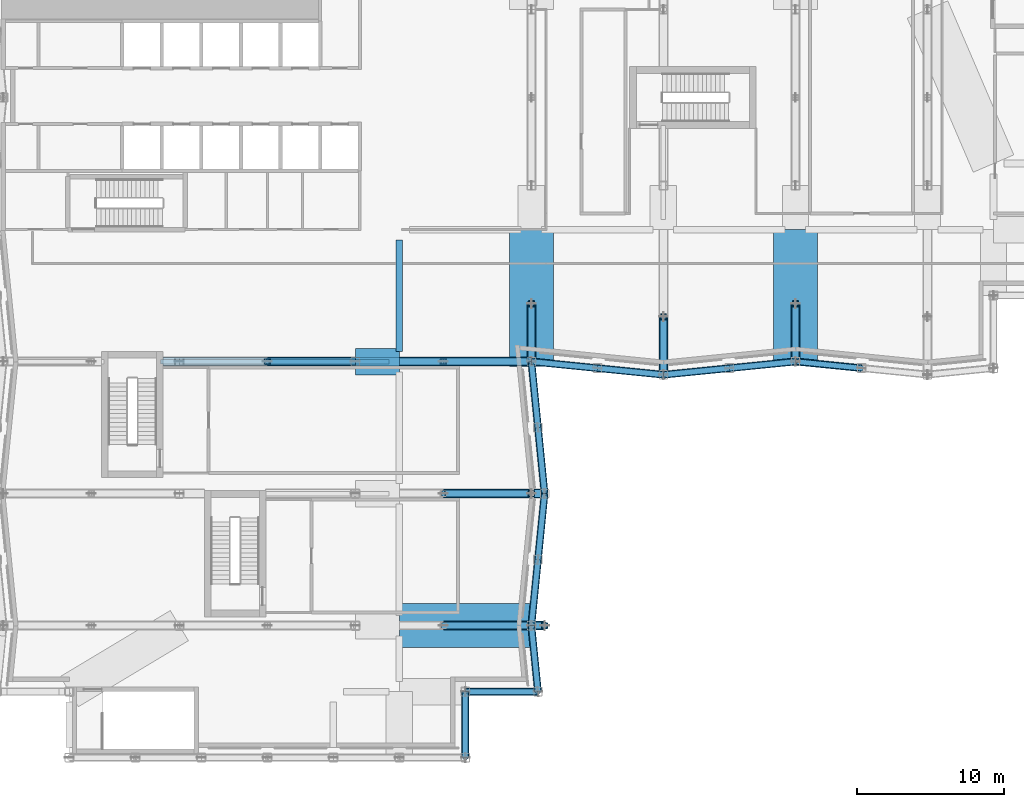
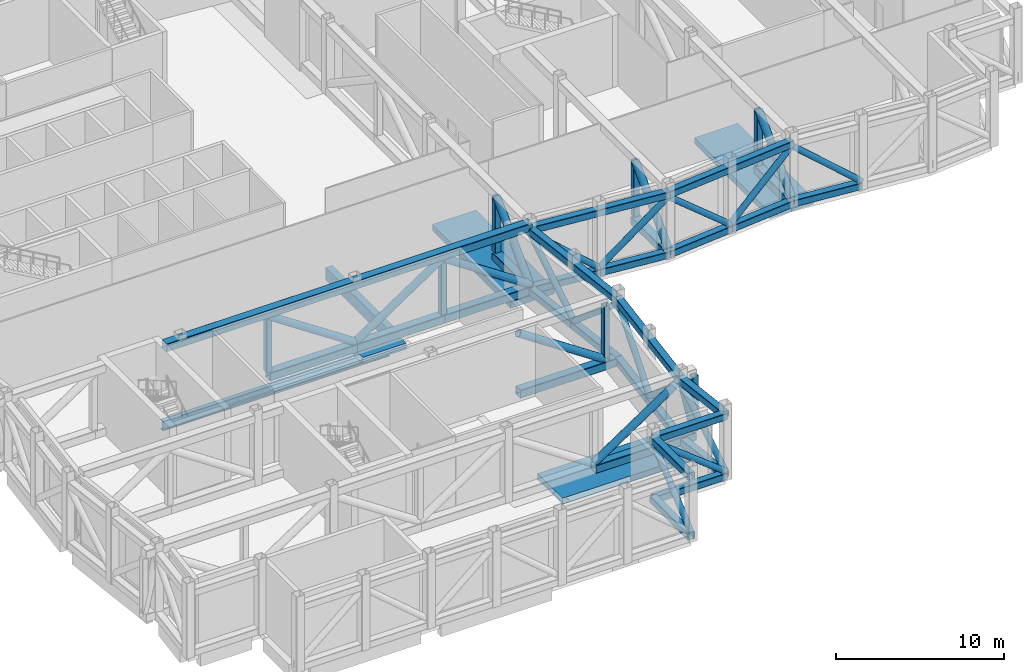
# One storey, part 4 of 22: 57 members, 6 beams.
"""IFC4 building model written with IfcOpenShell, lengths in metres."""

from ifc_helpers import new_model, si_unit, direction, frame, origin, origin_2d, place, context, subcontext, project, spatial, rectangle, hollow_rectangle, hollow_circle, i_section, extrude, material, material_profile, profile_set, type_object, element, save


model = new_model("IFC4")

# Units and contexts
model_context = context("Model", 3, precision=1e-05, world=origin(), true_north=direction((0.0, 1.0)))
body_context = subcontext(model_context, "Body", "Model", "MODEL_VIEW")
ifc_project = project(units=[si_unit("LENGTHUNIT", "METRE"), si_unit("AREAUNIT", "SQUARE_METRE"), si_unit("VOLUMEUNIT", "CUBIC_METRE"), si_unit("PLANEANGLEUNIT", "RADIAN"), si_unit("MASSUNIT", "GRAM", prefix="KILO")], contexts=[model_context])

# Site, building, storey
site_placement = place(None, origin())
site = spatial("IfcSite", under=ifc_project, at=site_placement, CompositionType="ELEMENT")
building_placement = place(site_placement, origin())
building = spatial("IfcBuilding", under=site, at=building_placement, Name="Brondeck Convention Tower", CompositionType="ELEMENT")
storey_placement = place(building_placement, frame((0.0, 0.0, 32.0)))
storey = spatial("IfcBuildingStorey", under=building, at=storey_placement, Name="L05", CompositionType="ELEMENT", Elevation=32.0)

# Beams
ifc_material_1 = material(Name="Concrete C80/95", Category="concrete")
ifc_material_profile_1 = material_profile(ifc_material_1, rectangle(XDim=1.800048828125, YDim=0.43994140625, at=origin_2d()), Name="Band beam 1800x440 Concrete C80/95")
ifc_profile_set_1 = profile_set([ifc_material_profile_1], Name="Concrete C80/95")
beam_type_1 = type_object("IfcBeamType", Name="Band beam 1800x440 Concrete C80/95", PredefinedType="BEAM", material=ifc_profile_set_1)
beam_1_placement = place(storey_placement, frame((24.0, 27.0, -0.219970703125), z_axis=(1.0, 0.0, 0.0), x_axis=(0.0, 1.0, 0.0)))
element("IfcBeam", 1, at=beam_1_placement, inside=storey, type_object=beam_type_1, Name="Band beam L05-4", PredefinedType="BEAM", context=body_context, shape_type="SweptSolid", body=[
    extrude(rectangle(XDim=1.800048828125, YDim=0.43994140625, at=origin_2d()), origin(), (0.0, 0.0, 1.0), 3.0),
])
ifc_material_profile_2 = material_profile(ifc_material_1, rectangle(XDim=3.0, YDim=0.43994140625, at=origin_2d()), Name="Band beam 3000x440 Concrete C80/95")
ifc_profile_set_2 = profile_set([ifc_material_profile_2], Name="Concrete C80/95")
beam_type_2 = type_object("IfcBeamType", Name="Band beam 3000x440 Concrete C80/95", PredefinedType="BEAM", material=ifc_profile_set_2)
beam_2_placement = place(storey_placement, frame((36.0, 9.0, -0.219970703125), z_axis=(-1.0, 0.0, 0.0), x_axis=(0.0, -1.0, 0.0)))
element("IfcBeam", 2, at=beam_2_placement, inside=storey, type_object=beam_type_2, Name="Band beam L05-7", PredefinedType="BEAM", context=body_context, shape_type="SweptSolid", body=[
    extrude(rectangle(XDim=3.0, YDim=0.43994140625, at=origin_2d()), origin(), (0.0, 0.0, 1.0), 9.0),
])
beam_3_placement = place(storey_placement, frame((36.0, 26.669921875, -0.219970703125), z_axis=(0.0, 1.0, 0.0), x_axis=(-1.0, 0.0, 0.0)))
element("IfcBeam", 3, at=beam_3_placement, inside=storey, type_object=beam_type_2, Name="Band beam L05-8", PredefinedType="BEAM", context=body_context, shape_type="SweptSolid", body=[
    extrude(rectangle(XDim=3.0, YDim=0.43994140625, at=origin_2d()), origin(), (0.0, 0.0, 1.0), 9.330078125),
])
beam_4_placement = place(storey_placement, frame((54.0, 27.0, -0.219970703125), z_axis=(0.0, 1.0, 0.0), x_axis=(-1.0, 0.0, 0.0)))
element("IfcBeam", 4, at=beam_4_placement, inside=storey, type_object=beam_type_2, Name="Band beam L05-12", PredefinedType="BEAM", context=body_context, shape_type="SweptSolid", body=[
    extrude(rectangle(XDim=3.0, YDim=0.43994140625, at=origin_2d()), origin(), (0.0, 0.0, 1.0), 9.0),
])
ifc_material_profile_3 = material_profile(ifc_material_1, rectangle(XDim=0.449951171875, YDim=0.89990234375, at=origin_2d()), Name="Edge beam 450x900 Concrete C80/95")
ifc_profile_set_3 = profile_set([ifc_material_profile_3], Name="Concrete C80/95")
beam_type_3 = type_object("IfcBeamType", Name="Edge beam 450x900 Concrete C80/95", PredefinedType="BEAM", material=ifc_profile_set_3)
beam_5_placement = place(storey_placement, frame((27.0, 27.699951171875, -0.449951171875), z_axis=(0.0, 1.0, 0.0), x_axis=(-1.0, 0.0, 0.0)))
element("IfcBeam", 5, at=beam_5_placement, inside=storey, type_object=beam_type_3, Name="STR-SP-L05-008", PredefinedType="BEAM", context=body_context, shape_type="SweptSolid", body=[
    extrude(rectangle(XDim=0.449951171875, YDim=0.89990234375, at=origin_2d()), origin(), (0.0, 0.0, 1.0), 7.60009765625),
])
ifc_material_2 = material(Name="Steel S355", Category="steel")
ifc_material_profile_4 = material_profile(ifc_material_2, i_section(OverallWidth=0.300048828125, OverallDepth=0.699951171875, WebThickness=0.01708984375, FlangeThickness=0.031982421875, FilletRadius=0.027099609375, at=origin_2d()), Name="HEB 700")
ifc_profile_set_4 = profile_set([ifc_material_profile_4], Name="Steel S355")
beam_type_4 = type_object("IfcBeamType", Name="Girder HEB 700", PredefinedType="BEAM", material=ifc_profile_set_4)
beam_6_placement = place(storey_placement, frame((10.719970703125, 27.0, -0.800048828125), z_axis=(1.0, 0.0, 0.0), x_axis=(0.0, 1.0, 0.0)))
element("IfcBeam", 6, at=beam_6_placement, inside=storey, type_object=beam_type_4, Name="STR-GR-L05-011", PredefinedType="BEAM", context=body_context, shape_type="SweptSolid", body=[
    extrude(i_section(OverallWidth=0.300048828125, OverallDepth=0.699951171875, WebThickness=0.01708984375, FlangeThickness=0.031982421875, FilletRadius=0.027099609375, at=origin_2d()), origin(), (0.0, 0.0, 1.0), 15.580078125),
])

# Members
ifc_material_3 = material(Name="Steel S460", Category="steel")
ifc_material_profile_5 = material_profile(ifc_material_3, hollow_rectangle(XDim=0.5, YDim=0.5, WallThickness=0.02490234375, InnerFilletRadius=0.02490234375, OuterFilletRadius=0.050048828125, at=origin_2d()), Name="RHS 500x500x25")
ifc_profile_set_5 = profile_set([ifc_material_profile_5], Name="Steel S460")
member_type_1 = type_object("IfcMemberType", Name="Truss chord RHS 500x500x25", PredefinedType="CHORD", material=ifc_profile_set_5)
member_1_placement = place(storey_placement, frame((31.5, 0.0, 4.60009765625), z_axis=(0.0, 1.0, 0.0), x_axis=(-1.0, 0.0, 0.0)))
element("IfcMember", 7, at=member_1_placement, inside=storey, type_object=member_type_1, Name="Transfer truss T1-P1 chord", PredefinedType="CHORD", context=body_context, shape_type="SweptSolid", body=[
    extrude(hollow_rectangle(XDim=0.5, YDim=0.5, WallThickness=0.02490234375, InnerFilletRadius=0.02490234375, OuterFilletRadius=0.050048828125, at=origin_2d()), origin(), (0.0, 0.0, 1.0), 4.5),
])
member_2_placement = place(storey_placement, frame((31.5, 4.5, 4.60009765625), z_axis=(1.0, 0.0, 0.0), x_axis=(0.0, 1.0, 0.0)))
element("IfcMember", 8, at=member_2_placement, inside=storey, type_object=member_type_1, Name="Transfer truss T1-P1 chord", PredefinedType="CHORD", context=body_context, shape_type="SweptSolid", body=[
    extrude(hollow_rectangle(XDim=0.5, YDim=0.5, WallThickness=0.02490234375, InnerFilletRadius=0.02490234375, OuterFilletRadius=0.050048828125, at=origin_2d()), origin(), (0.0, 0.0, 1.0), 4.949951171875),
])
member_3_placement = place(storey_placement, frame((36.449951171875, 4.5, 4.60009765625), z_axis=(-0.099493029059, 0.995038259148, 0.0), x_axis=(-0.995038259148, -0.099493029059, 0.0)))
element("IfcMember", 9, at=member_3_placement, inside=storey, type_object=member_type_1, Name="Transfer truss T1-P1 chord", PredefinedType="CHORD", context=body_context, shape_type="SweptSolid", body=[
    extrude(hollow_rectangle(XDim=0.5, YDim=0.5, WallThickness=0.02490234375, InnerFilletRadius=0.02490234375, OuterFilletRadius=0.050048828125, at=origin_2d()), origin(), (0.0, 0.0, 1.0), 4.5224609375),
])
for number, where, z_axis, x_axis, name in (
    (10, (36.0, 9.0, 4.60009765625), (0.099493029059, 0.995038259148, 0.0), (-0.995038259148, 0.099493029059, 0.0), "Transfer truss T1-P1 chord"),
    (11, (36.89990234375, 18.0, 4.60009765625), (-0.099493029059, 0.995038259148, 0.0), (-0.995038259148, -0.099493029059, 0.0), "Transfer truss T1-P1 chord"),
    (12, (36.0, 27.0, 4.60009765625), (0.995038259148, -0.099493029059, 0.0), (0.099493029059, 0.995038259148, 0.0), "Transfer truss T1-P1 chord"),
    (13, (45.0, 26.10009765625, 4.60009765625), (0.995038259148, 0.099493029059, 0.0), (-0.099493029059, 0.995038259148, 0.0), "Transfer truss T1-P1 chord"),
):
    element("IfcMember", number, at=place(storey_placement, frame(where, z_axis=z_axis, x_axis=x_axis)), inside=storey, type_object=member_type_1, Name=name, PredefinedType="CHORD", context=body_context, shape_type="SweptSolid", body=[
        extrude(hollow_rectangle(XDim=0.5, YDim=0.5, WallThickness=0.02490234375, InnerFilletRadius=0.02490234375, OuterFilletRadius=0.050048828125, at=origin_2d()), origin(), (0.0, 0.0, 1.0), 9.044921875),
    ])
member_4_placement = place(storey_placement, frame((31.5, 0.0, 0.25), z_axis=(0.0, 1.0, 0.0), x_axis=(-1.0, 0.0, 0.0)))
element("IfcMember", 14, at=member_4_placement, inside=storey, type_object=member_type_1, Name="Transfer truss T1-P1 chord", PredefinedType="CHORD", context=body_context, shape_type="SweptSolid", body=[
    extrude(hollow_rectangle(XDim=0.5, YDim=0.5, WallThickness=0.02490234375, InnerFilletRadius=0.02490234375, OuterFilletRadius=0.050048828125, at=origin_2d()), origin(), (0.0, 0.0, 1.0), 4.5),
])
member_5_placement = place(storey_placement, frame((31.5, 4.5, 0.25), z_axis=(1.0, 0.0, 0.0), x_axis=(0.0, 1.0, 0.0)))
element("IfcMember", 15, at=member_5_placement, inside=storey, type_object=member_type_1, Name="Transfer truss T1-P1 chord", PredefinedType="CHORD", context=body_context, shape_type="SweptSolid", body=[
    extrude(hollow_rectangle(XDim=0.5, YDim=0.5, WallThickness=0.02490234375, InnerFilletRadius=0.02490234375, OuterFilletRadius=0.050048828125, at=origin_2d()), origin(), (0.0, 0.0, 1.0), 4.949951171875),
])
for number, where, z_axis, x_axis, name in (
    (16, (36.449951171875, 4.5, 0.25), (-0.099493029059, 0.995038259148, 0.0), (-0.995038259148, -0.099493029059, 0.0), "Transfer truss T1-P1 chord"),
    (17, (36.0, 9.0, 0.25), (0.099493029059, 0.995038259148, 0.0), (-0.995038259148, 0.099493029059, 0.0), "Transfer truss T1-P1 chord"),
    (18, (36.449951171875, 13.5, 0.25), (0.099493029059, 0.995038259148, 0.0), (-0.995038259148, 0.099493029059, 0.0), "Transfer truss T1-P1 chord"),
    (19, (36.89990234375, 18.0, 0.25), (-0.099493029059, 0.995038259148, 0.0), (-0.995038259148, -0.099493029059, 0.0), "Transfer truss T1-P1 chord"),
    (20, (36.449951171875, 22.5, 0.25), (-0.099493029059, 0.995038259148, 0.0), (-0.995038259148, -0.099493029059, 0.0), "Transfer truss T1-P1 chord"),
    (21, (36.0, 27.0, 0.25), (0.995038259148, -0.099493029059, 0.0), (0.099493029059, 0.995038259148, 0.0), "Transfer truss T1-P1 chord"),
    (22, (40.5, 26.550048828125, 0.25), (0.995038259148, -0.099493029059, 0.0), (0.099493029059, 0.995038259148, 0.0), "Transfer truss T1-P1 chord"),
    (23, (45.0, 26.10009765625, 0.25), (0.995038259148, 0.099493029059, 0.0), (-0.099493029059, 0.995038259148, 0.0), "Transfer truss T1-P1 chord"),
    (24, (49.5, 26.550048828125, 0.25), (0.995038259148, 0.099493029059, 0.0), (-0.099493029059, 0.995038259148, 0.0), "Transfer truss T1-P1 chord"),
    (25, (54.0, 27.0, 0.25), (0.995038259148, -0.099493029059, 0.0), (0.099493029059, 0.995038259148, 0.0), "Transfer truss T1-P1 chord"),
):
    element("IfcMember", number, at=place(storey_placement, frame(where, z_axis=z_axis, x_axis=x_axis)), inside=storey, type_object=member_type_1, Name=name, PredefinedType="CHORD", context=body_context, shape_type="SweptSolid", body=[
        extrude(hollow_rectangle(XDim=0.5, YDim=0.5, WallThickness=0.02490234375, InnerFilletRadius=0.02490234375, OuterFilletRadius=0.050048828125, at=origin_2d()), origin(), (0.0, 0.0, 1.0), 4.5224609375),
    ])
ifc_material_profile_6 = material_profile(ifc_material_3, hollow_rectangle(XDim=0.60009765625, YDim=0.60009765625, WallThickness=0.030029296875, InnerFilletRadius=0.030029296875, OuterFilletRadius=0.06005859375, at=origin_2d()), Name="RHS 600x600x30")
ifc_profile_set_6 = profile_set([ifc_material_profile_6], Name="Steel S460")
member_type_2 = type_object("IfcMemberType", Name="Truss chord RHS 600x600x30", PredefinedType="CHORD", material=ifc_profile_set_6)
for number, where, z_axis, x_axis, name in (
    (26, (36.0, 27.0, 0.300048828125), (0.0, 1.0, 0.0), (-1.0, 0.0, 0.0), "Transfer truss T1-A1 chord"),
    (27, (45.0, 26.10009765625, 0.300048828125), (0.0, 1.0, 0.0), (-1.0, 0.0, 0.0), "Transfer truss T1-A2 chord"),
    (28, (54.0, 27.0, 0.300048828125), (0.0, 1.0, 0.0), (-1.0, 0.0, 0.0), "Transfer truss T1-A3 chord"),
):
    element("IfcMember", number, at=place(storey_placement, frame(where, z_axis=z_axis, x_axis=x_axis)), inside=storey, type_object=member_type_2, Name=name, PredefinedType="CHORD", context=body_context, shape_type="SweptSolid", body=[
        extrude(hollow_rectangle(XDim=0.60009765625, YDim=0.60009765625, WallThickness=0.030029296875, InnerFilletRadius=0.030029296875, OuterFilletRadius=0.06005859375, at=origin_2d()), origin(), (0.0, 0.0, 1.0), 3.949951171875),
    ])
member_6_placement = place(storey_placement, frame((36.0, 27.0, 4.89990234375), z_axis=(-1.0, 0.0, 0.0), x_axis=(0.0, -1.0, 0.0)))
element("IfcMember", 29, at=member_6_placement, inside=storey, type_object=member_type_2, Name="Transfer truss T1-B1 chord", PredefinedType="CHORD", context=body_context, shape_type="SweptSolid", body=[
    extrude(hollow_rectangle(XDim=0.60009765625, YDim=0.60009765625, WallThickness=0.030029296875, InnerFilletRadius=0.030029296875, OuterFilletRadius=0.06005859375, at=origin_2d()), origin(), (0.0, 0.0, 1.0), 25.10009765625),
])
for number, where, z_axis, x_axis, name in (
    (30, (36.0, 27.0, 0.300048828125), (-1.0, 0.0, 0.0), (0.0, -1.0, 0.0), "Transfer truss T1-B1 chord"),
    (31, (30.0, 27.0, 0.300048828125), (-1.0, 0.0, 0.0), (0.0, -1.0, 0.0), "Transfer truss T1-B1 chord"),
    (32, (24.0, 27.0, 0.300048828125), (-1.0, 0.0, 0.0), (0.0, -1.0, 0.0), "Transfer truss T1-B1 chord"),
):
    element("IfcMember", number, at=place(storey_placement, frame(where, z_axis=z_axis, x_axis=x_axis)), inside=storey, type_object=member_type_2, Name=name, PredefinedType="CHORD", context=body_context, shape_type="SweptSolid", body=[
        extrude(hollow_rectangle(XDim=0.60009765625, YDim=0.60009765625, WallThickness=0.030029296875, InnerFilletRadius=0.030029296875, OuterFilletRadius=0.06005859375, at=origin_2d()), origin(), (0.0, 0.0, 1.0), 6.0),
    ])
member_7_placement = place(storey_placement, frame((36.6298828125, 18.0, 0.300048828125), z_axis=(-1.0, 0.0, 0.0), x_axis=(0.0, -1.0, 0.0)))
element("IfcMember", 33, at=member_7_placement, inside=storey, type_object=member_type_2, Name="Transfer truss T1-B2 chord", PredefinedType="CHORD", context=body_context, shape_type="SweptSolid", body=[
    extrude(hollow_rectangle(XDim=0.60009765625, YDim=0.60009765625, WallThickness=0.030029296875, InnerFilletRadius=0.030029296875, OuterFilletRadius=0.06005859375, at=origin_2d()), origin(), (0.0, 0.0, 1.0), 6.6298828125),
])
member_8_placement = place(storey_placement, frame((36.89990234375, 9.0, 0.300048828125), z_axis=(-1.0, 0.0, 0.0), x_axis=(0.0, -1.0, 0.0)))
element("IfcMember", 34, at=member_8_placement, inside=storey, type_object=member_type_2, Name="Transfer truss T1-B3 chord", PredefinedType="CHORD", context=body_context, shape_type="SweptSolid", body=[
    extrude(hollow_rectangle(XDim=0.60009765625, YDim=0.60009765625, WallThickness=0.030029296875, InnerFilletRadius=0.030029296875, OuterFilletRadius=0.06005859375, at=origin_2d()), origin(), (0.0, 0.0, 1.0), 0.89990234375),
])
member_9_placement = place(storey_placement, frame((36.0, 9.0, 0.300048828125), z_axis=(-1.0, 0.0, 0.0), x_axis=(0.0, -1.0, 0.0)))
element("IfcMember", 35, at=member_9_placement, inside=storey, type_object=member_type_2, Name="Transfer truss T1-B3 chord", PredefinedType="CHORD", context=body_context, shape_type="SweptSolid", body=[
    extrude(hollow_rectangle(XDim=0.60009765625, YDim=0.60009765625, WallThickness=0.030029296875, InnerFilletRadius=0.030029296875, OuterFilletRadius=0.06005859375, at=origin_2d()), origin(), (0.0, 0.0, 1.0), 6.0),
])
ifc_material_profile_7 = material_profile(ifc_material_3, hollow_circle(Radius=0.203125, WallThickness=0.02490234375, at=origin_2d()), Name="CHS 406.4x25")
ifc_profile_set_7 = profile_set([ifc_material_profile_7], Name="Steel S460")
member_type_3 = type_object("IfcMemberType", Name="Truss diagonal CHS 406.4x25", PredefinedType="BRACE", material=ifc_profile_set_7)
member_10_placement = place(storey_placement, frame((31.5, 0.0, 0.5), z_axis=(0.0, 0.759844100981, 0.650105331623), x_axis=(-1.0, 0.0, 0.0)))
element("IfcMember", 36, at=member_10_placement, inside=storey, type_object=member_type_3, Name="Transfer truss T1-P1 diagonal", PredefinedType="BRACE", context=body_context, shape_type="SweptSolid", body=[
    extrude(hollow_circle(Radius=0.203125, WallThickness=0.02490234375, at=origin_2d()), origin(), (0.0, 0.0, 1.0), 5.92236328125),
])
member_11_placement = place(storey_placement, frame((31.5, 4.5, 4.35009765625), z_axis=(0.78934173563, 0.0, -0.613954089809), x_axis=(0.0, 1.0, 0.0)))
element("IfcMember", 37, at=member_11_placement, inside=storey, type_object=member_type_3, Name="Transfer truss T1-P1 diagonal", PredefinedType="BRACE", context=body_context, shape_type="SweptSolid", body=[
    extrude(hollow_circle(Radius=0.203125, WallThickness=0.02490234375, at=origin_2d()), origin(), (0.0, 0.0, 1.0), 6.27099609375),
])
for number, where, z_axis, x_axis, name in (
    (38, (36.449951171875, 4.5, 0.5), (-0.07575782849, 0.757660496322, 0.648237089139), (-0.995038259148, -0.099493029059, 0.0), "Transfer truss T1-P1 diagonal"),
    (39, (36.0, 9.0, 4.35009765625), (0.07575782849, 0.757660496322, -0.648237089139), (-0.995038259148, 0.099493029059, 0.0), "Transfer truss T1-P1 diagonal"),
    (40, (36.449951171875, 13.5, 0.5), (0.07575782849, 0.757660496322, 0.648237089139), (-0.995038259148, 0.099493029059, 0.0), "Transfer truss T1-P1 diagonal"),
    (41, (36.89990234375, 18.0, 4.35009765625), (-0.07575782849, 0.757660496322, -0.648237089139), (-0.995038259148, -0.099493029059, 0.0), "Transfer truss T1-P1 diagonal"),
    (42, (36.449951171875, 22.5, 0.5), (-0.07575782849, 0.757660496322, 0.648237089139), (-0.995038259148, -0.099493029059, 0.0), "Transfer truss T1-P1 diagonal"),
    (43, (36.0, 27.0, 4.35009765625), (0.757660496322, -0.07575782849, -0.648237089139), (0.099493029059, 0.995038259148, 0.0), "Transfer truss T1-P1 diagonal"),
    (44, (40.5, 26.550048828125, 0.5), (0.757660496322, -0.07575782849, 0.648237089139), (0.099493029059, 0.995038259148, 0.0), "Transfer truss T1-P1 diagonal"),
    (45, (45.0, 26.10009765625, 4.35009765625), (0.757660496322, 0.07575782849, -0.648237089139), (-0.099493029059, 0.995038259148, 0.0), "Transfer truss T1-P1 diagonal"),
    (46, (49.5, 26.550048828125, 0.5), (0.757660496322, 0.07575782849, 0.648237089139), (-0.099493029059, 0.995038259148, 0.0), "Transfer truss T1-P1 diagonal"),
    (47, (54.0, 27.0, 4.35009765625), (0.757660496322, -0.07575782849, -0.648237089139), (0.099493029059, 0.995038259148, 0.0), "Transfer truss T1-P1 diagonal"),
):
    element("IfcMember", number, at=place(storey_placement, frame(where, z_axis=z_axis, x_axis=x_axis)), inside=storey, type_object=member_type_3, Name=name, PredefinedType="BRACE", context=body_context, shape_type="SweptSolid", body=[
        extrude(hollow_circle(Radius=0.203125, WallThickness=0.02490234375, at=origin_2d()), origin(), (0.0, 0.0, 1.0), 5.939453125),
    ])
ifc_material_profile_8 = material_profile(ifc_material_3, hollow_circle(Radius=0.25390625, WallThickness=0.030029296875, at=origin_2d()), Name="CHS 508x30")
ifc_profile_set_8 = profile_set([ifc_material_profile_8], Name="Steel S460")
member_type_4 = type_object("IfcMemberType", Name="Truss diagonal CHS 508x30", PredefinedType="BRACE", material=ifc_profile_set_8)
for number, where, z_axis, x_axis, name in (
    (48, (36.0, 27.0, 0.60009765625), (0.0, 0.702641274589, 0.711544263728), (-1.0, 0.0, 0.0), "Transfer truss T1-A1 diagonal"),
    (49, (45.0, 26.10009765625, 0.60009765625), (0.0, 0.702641274589, 0.711544263728), (-1.0, 0.0, 0.0), "Transfer truss T1-A2 diagonal"),
    (50, (54.0, 27.0, 0.60009765625), (0.0, 0.702641274589, 0.711544263728), (-1.0, 0.0, 0.0), "Transfer truss T1-A3 diagonal"),
):
    element("IfcMember", number, at=place(storey_placement, frame(where, z_axis=z_axis, x_axis=x_axis)), inside=storey, type_object=member_type_4, Name=name, PredefinedType="BRACE", context=body_context, shape_type="SweptSolid", body=[
        extrude(hollow_circle(Radius=0.25390625, WallThickness=0.030029296875, at=origin_2d()), origin(), (0.0, 0.0, 1.0), 5.62158203125),
    ])
for number, where, z_axis, x_axis, name in (
    (51, (36.0, 27.0, 0.60009765625), (-0.832050294338, 0.0, 0.554700196225), (0.0, -1.0, 0.0), "Transfer truss T1-B1 diagonal"),
    (52, (30.0, 27.0, 4.60009765625), (-0.832050294338, 0.0, -0.554700196225), (0.0, -1.0, 0.0), "Transfer truss T1-B1 diagonal"),
    (53, (24.0, 27.0, 0.60009765625), (-0.832050294338, 0.0, 0.554700196225), (0.0, -1.0, 0.0), "Transfer truss T1-B1 diagonal"),
    (54, (36.0, 18.0, 0.60009765625), (-0.832050294338, 0.0, 0.554700196225), (0.0, -1.0, 0.0), "Transfer truss T1-B2 diagonal"),
):
    element("IfcMember", number, at=place(storey_placement, frame(where, z_axis=z_axis, x_axis=x_axis)), inside=storey, type_object=member_type_4, Name=name, PredefinedType="BRACE", context=body_context, shape_type="SweptSolid", body=[
        extrude(hollow_circle(Radius=0.25390625, WallThickness=0.030029296875, at=origin_2d()), origin(), (0.0, 0.0, 1.0), 7.211181640625),
    ])
member_12_placement = place(storey_placement, frame((36.89990234375, 9.0, 0.60009765625), z_axis=(-0.21948952406, 0.0, 0.97561485681), x_axis=(0.0, -1.0, 0.0)))
element("IfcMember", 55, at=member_12_placement, inside=storey, type_object=member_type_4, Name="Transfer truss T1-B3 diagonal", PredefinedType="BRACE", context=body_context, shape_type="SweptSolid", body=[
    extrude(hollow_circle(Radius=0.25390625, WallThickness=0.030029296875, at=origin_2d()), origin(), (0.0, 0.0, 1.0), 4.10009765625),
])
member_13_placement = place(storey_placement, frame((36.0, 9.0, 4.60009765625), z_axis=(-0.832050294338, 0.0, -0.554700196225), x_axis=(0.0, -1.0, 0.0)))
element("IfcMember", 56, at=member_13_placement, inside=storey, type_object=member_type_4, Name="Transfer truss T1-B3 diagonal", PredefinedType="BRACE", context=body_context, shape_type="SweptSolid", body=[
    extrude(hollow_circle(Radius=0.25390625, WallThickness=0.030029296875, at=origin_2d()), origin(), (0.0, 0.0, 1.0), 7.211181640625),
])
ifc_material_profile_9 = material_profile(ifc_material_3, hollow_rectangle(XDim=0.39990234375, YDim=0.39990234375, WallThickness=0.02001953125, InnerFilletRadius=0.02001953125, OuterFilletRadius=0.0400390625, at=origin_2d()), Name="RHS 400x400x20")
ifc_profile_set_9 = profile_set([ifc_material_profile_9], Name="Steel S460")
member_type_5 = type_object("IfcMemberType", Name="Truss vertical RHS 400x400x20", PredefinedType="STRUT", material=ifc_profile_set_9)
for number, where, z_axis, x_axis, name in (
    (57, (36.0, 30.949951171875, 0.60009765625), (0.0, 0.0, 1.0), (1.0, 0.0, 0.0), "Transfer truss T1-A1 vertical"),
    (58, (45.0, 30.050048828125, 0.60009765625), (0.0, 0.0, 1.0), (1.0, 0.0, 0.0), "Transfer truss T1-A2 vertical"),
    (59, (54.0, 30.949951171875, 0.60009765625), (0.0, 0.0, 1.0), (1.0, 0.0, 0.0), "Transfer truss T1-A3 vertical"),
    (60, (30.0, 27.0, 0.60009765625), (0.0, 0.0, 1.0), (1.0, 0.0, 0.0), "Transfer truss T1-B1 vertical"),
    (61, (18.0, 27.0, 0.60009765625), (0.0, 0.0, 1.0), (1.0, 0.0, 0.0), "Transfer truss T1-B1 vertical"),
    (62, (36.0, 18.0, 0.60009765625), (0.0, 0.0, 1.0), (1.0, 0.0, 0.0), "Transfer truss T1-B2 vertical"),
    (63, (36.89990234375, 9.0, 0.60009765625), (0.0, 0.0, 1.0), (1.0, 0.0, 0.0), "Transfer truss T1-B3 vertical"),
):
    element("IfcMember", number, at=place(storey_placement, frame(where, z_axis=z_axis, x_axis=x_axis)), inside=storey, type_object=member_type_5, Name=name, PredefinedType="STRUT", context=body_context, shape_type="SweptSolid", body=[
        extrude(hollow_rectangle(XDim=0.39990234375, YDim=0.39990234375, WallThickness=0.02001953125, InnerFilletRadius=0.02001953125, OuterFilletRadius=0.0400390625, at=origin_2d()), origin(), (0.0, 0.0, 1.0), 4.0),
    ])

save(model, "model.ifc")
